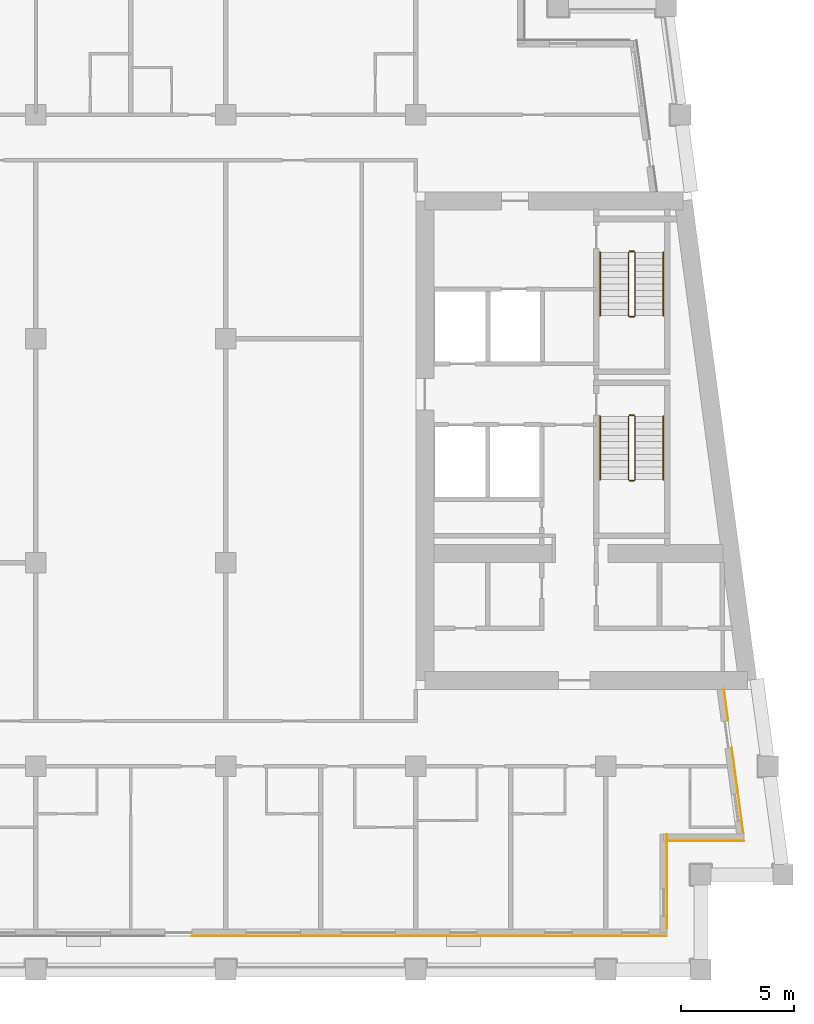
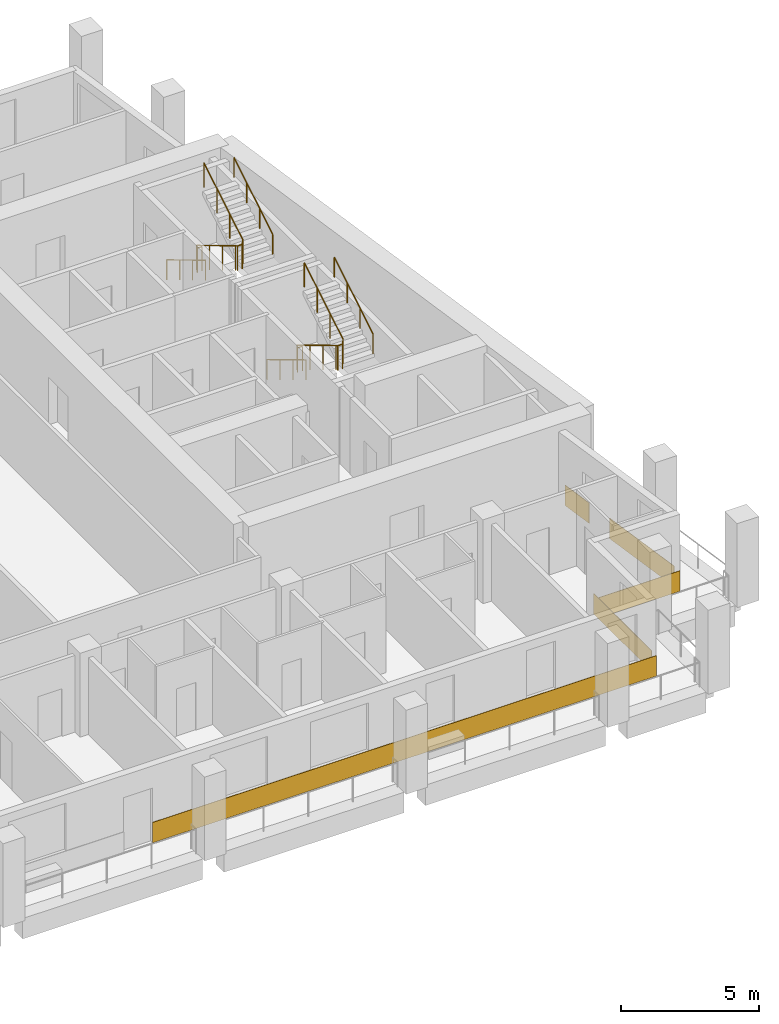
# One storey, part 10 of 12: 8 railings, 5 coverings.
"""IFC4 building model written with IfcOpenShell, lengths in metres."""

from ifc_helpers import new_model, si_unit, direction, frame, origin, origin_2d, place, context, subcontext, project, spatial, rectangle, circle, extrude, material, layer, layer_set, type_object, element, save


model = new_model("IFC4")

# Units and contexts
model_context = context("Model", 3, precision=1e-05, world=origin(), true_north=direction((0.0, 1.0)))
body_context = subcontext(model_context, "Body", "Model", "MODEL_VIEW")
ifc_project = project(units=[si_unit("LENGTHUNIT", "METRE"), si_unit("AREAUNIT", "SQUARE_METRE"), si_unit("VOLUMEUNIT", "CUBIC_METRE"), si_unit("PLANEANGLEUNIT", "RADIAN"), si_unit("MASSUNIT", "GRAM", prefix="KILO")], contexts=[model_context])

# Site, building, storey
site_placement = place(None, origin())
site = spatial("IfcSite", under=ifc_project, at=site_placement, CompositionType="ELEMENT")
building_placement = place(site_placement, origin())
building = spatial("IfcBuilding", under=site, at=building_placement, Name="Candeia Pilgrim Tower and Theatre", CompositionType="ELEMENT")
storey_placement = place(building_placement, frame((0.0, 0.0, 224.39990234375)))
storey = spatial("IfcBuildingStorey", under=building, at=storey_placement, Name="L54", CompositionType="ELEMENT", Elevation=224.39990234375)

# Coverings
ifc_material_1 = material(Name="Glazed ceramic tile bottle green")
ifc_layer_1 = layer(ifc_material_1, 0.02001953125)
ifc_layer_set_1 = layer_set([ifc_layer_1], Name="Glazed ceramic tile bottle green")
covering_type_1 = type_object("IfcCoveringType", Name="Glazed ceramic tile bottle green", PredefinedType="CLADDING", material=ifc_layer_set_1)
covering_1_placement = place(storey_placement, frame((126.60009765625, 99.489990234375, 0.000244140625), z_axis=(0.0, 0.0, 1.0), x_axis=(1.0, 0.0, 0.0)))
element("IfcCovering", 1, at=covering_1_placement, inside=storey, type_object=covering_type_1, Name="Tile cladding bottle green L54", PredefinedType="CLADDING", context=body_context, shape_type="SweptSolid", body=[
    extrude(rectangle(XDim=21.0, YDim=0.02001953125, at=origin_2d()), origin(), (0.0, 0.0, 1.0), 0.89990234375),
])
covering_2_placement = place(storey_placement, frame((138.819580078125, 103.68994140625, 0.000244140625), z_axis=(0.0, 0.0, 1.0), x_axis=(1.0, 0.0, 0.0)))
element("IfcCovering", 2, at=covering_2_placement, inside=storey, type_object=covering_type_1, Name="Tile cladding bottle green L54", PredefinedType="CLADDING", context=body_context, shape_type="SweptSolid", body=[
    extrude(rectangle(XDim=3.399169921875, YDim=0.02001953125, at=origin_2d()), origin(), (0.0, 0.0, 1.0), 0.89990234375),
])
ifc_material_2 = material(Name="Glazed ceramic tile rust")
ifc_layer_2 = layer(ifc_material_2, 0.02001953125)
ifc_layer_set_2 = layer_set([ifc_layer_2], Name="Glazed ceramic tile rust")
covering_type_2 = type_object("IfcCoveringType", Name="Glazed ceramic tile rust", PredefinedType="CLADDING", material=ifc_layer_set_2)
covering_3_placement = place(storey_placement, frame((137.110107421875, 101.909912109375, 0.000244140625), z_axis=(0.0, 0.0, 1.0), x_axis=(0.0, 1.0, 0.0)))
element("IfcCovering", 3, at=covering_3_placement, inside=storey, type_object=covering_type_2, Name="Tile cladding rust L54", PredefinedType="CLADDING", context=body_context, shape_type="SweptSolid", body=[
    extrude(rectangle(XDim=4.179931640625, YDim=0.02001953125, at=origin_2d()), origin(), (0.0, 0.0, 1.0), 0.89990234375),
])
covering_4_placement = place(storey_placement, frame((140.228515625, 105.933349609375, 0.000244140625), z_axis=(0.0, 0.0, 1.0), x_axis=(-0.133412012145, 0.991060661622, 0.0)))
element("IfcCovering", 4, at=covering_4_placement, inside=storey, type_object=covering_type_2, Name="Tile cladding rust L54", PredefinedType="CLADDING", context=body_context, shape_type="SweptSolid", body=[
    extrude(rectangle(XDim=3.821044921875, YDim=0.02001953125, at=origin_2d()), origin(), (0.0, 0.0, 1.0), 0.89990234375),
])
covering_5_placement = place(storey_placement, frame((139.718994140625, 109.71875, 0.000244140625), z_axis=(0.0, 0.0, 1.0), x_axis=(-0.133412012145, 0.991060661622, 0.0)))
element("IfcCovering", 5, at=covering_5_placement, inside=storey, type_object=covering_type_2, Name="Tile cladding rust L54", PredefinedType="CLADDING", context=body_context, shape_type="SweptSolid", body=[
    extrude(rectangle(XDim=1.41796875, YDim=0.02001953125, at=origin_2d()), origin(), (0.0, 0.0, 1.0), 0.89990234375),
])

# Railings
ifc_material_3 = material(Name="Stainless steel balustrade", Category="steel")
railing_type_1 = type_object("IfcRailingType", Name="RL-GUARD-1100", PredefinedType="GUARDRAIL", material=ifc_material_3)
railing_1_placement = place(storey_placement, frame((135.39794921875, 122.47509765625, 0.168212890625)))
element("IfcRailing", 6, at=railing_1_placement, inside=storey, type_object=railing_type_1, Name="L54 ST3 stair guard 1", PredefinedType="GUARDRAIL", context=body_context, shape_type="SweptSolid", body=[
    extrude(circle(Radius=0.02392578125, at=origin_2d()), frame((0.0, 0.0, 1.076171875), z_axis=(0.0, -0.857242210791, 0.514913383045), x_axis=(1.0, 0.0, 0.0)), (0.0, 0.0, 1.0), 3.266357421875),
    extrude(circle(Radius=0.02392578125, at=origin_2d()), frame((0.0, -2.800048828125, 2.7578125), z_axis=(0.707106781187, -0.707106781187, 0.0), x_axis=(0.707106781187, 0.707106781187, 0.0)), (0.0, 0.0, 1.0), 0.07080078125),
    extrude(circle(Radius=0.02392578125, at=origin_2d()), frame((0.050048828125, -2.85009765625, 2.7578125), z_axis=(1.0, 0.0, 0.0), x_axis=(0.0, 1.0, 0.0)), (0.0, 0.0, 1.0), 0.199951171875),
    extrude(circle(Radius=0.02392578125, at=origin_2d()), frame((0.25, -2.85009765625, 2.7578125), z_axis=(0.274243871929, 0.274243871929, 0.92172696468), x_axis=(-0.707106781187, 0.707106781187, 0.0)), (0.0, 0.0, 1.0), 0.1826171875),
    extrude(circle(Radius=0.02392578125, at=origin_2d()), frame((0.300048828125, -2.800048828125, 2.92626953125), z_axis=(0.0, 0.857242210791, 0.514913383045), x_axis=(-1.0, 0.0, 0.0)), (0.0, 0.0, 1.0), 3.266357421875),
    extrude(circle(Radius=0.02099609375, at=origin_2d()), origin(), (0.0, 0.0, 1.0), 1.052001953125),
    extrude(circle(Radius=0.02099609375, at=origin_2d()), frame((0.0, -0.933349609375, 0.560546875)), (0.0, 0.0, 1.0), 1.052001953125),
    extrude(circle(Radius=0.02099609375, at=origin_2d()), frame((0.0, -1.86669921875, 1.121337890625)), (0.0, 0.0, 1.0), 1.052001953125),
    extrude(circle(Radius=0.02099609375, at=origin_2d()), frame((0.0, -2.800048828125, 1.681884765625)), (0.0, 0.0, 1.0), 1.052001953125),
    extrude(circle(Radius=0.02099609375, at=origin_2d()), frame((0.050048828125, -2.85009765625, 1.681884765625)), (0.0, 0.0, 1.0), 1.052001953125),
    extrude(circle(Radius=0.02099609375, at=origin_2d()), frame((0.25, -2.85009765625, 1.681884765625)), (0.0, 0.0, 1.0), 1.052001953125),
    extrude(circle(Radius=0.02099609375, at=origin_2d()), frame((0.300048828125, -2.800048828125, 1.85009765625)), (0.0, 0.0, 1.0), 1.052001953125),
    extrude(circle(Radius=0.02099609375, at=origin_2d()), frame((0.300048828125, -1.86669921875, 2.41064453125)), (0.0, 0.0, 1.0), 1.052001953125),
    extrude(circle(Radius=0.02099609375, at=origin_2d()), frame((0.300048828125, -0.933349609375, 2.971435546875)), (0.0, 0.0, 1.0), 1.052001953125),
    extrude(circle(Radius=0.02099609375, at=origin_2d()), frame((0.300048828125, 0.0, 3.531982421875)), (0.0, 0.0, 1.0), 1.052001953125),
])
railing_2_placement = place(storey_placement, frame((135.447998046875, 122.52490234375, 0.0)))
element("IfcRailing", 7, at=railing_2_placement, inside=storey, type_object=railing_type_1, Name="L54 ST3 stair guard 2", PredefinedType="GUARDRAIL", context=body_context, shape_type="SweptSolid", body=[
    extrude(circle(Radius=0.02392578125, at=origin_2d()), frame((0.0, 0.0, 1.076171875), z_axis=(1.0, 0.0, 0.0), x_axis=(0.0, 1.0, 0.0)), (0.0, 0.0, 1.0), 0.199951171875),
    extrude(circle(Radius=0.02099609375, at=origin_2d()), origin(), (0.0, 0.0, 1.0), 1.052001953125),
    extrude(circle(Radius=0.02099609375, at=origin_2d()), frame((0.199951171875, 0.0, 0.0)), (0.0, 0.0, 1.0), 1.052001953125),
])
railing_3_placement = place(storey_placement, frame((135.39794921875, 129.72509765625, 0.168212890625)))
element("IfcRailing", 8, at=railing_3_placement, inside=storey, type_object=railing_type_1, Name="L54 ST4 stair guard 1", PredefinedType="GUARDRAIL", context=body_context, shape_type="SweptSolid", body=[
    extrude(circle(Radius=0.02392578125, at=origin_2d()), frame((0.0, 0.0, 1.076171875), z_axis=(0.0, -0.857242210791, 0.514913383045), x_axis=(1.0, 0.0, 0.0)), (0.0, 0.0, 1.0), 3.266357421875),
    extrude(circle(Radius=0.02392578125, at=origin_2d()), frame((0.0, -2.800048828125, 2.7578125), z_axis=(0.707106781187, -0.707106781187, 0.0), x_axis=(0.707106781187, 0.707106781187, 0.0)), (0.0, 0.0, 1.0), 0.07080078125),
    extrude(circle(Radius=0.02392578125, at=origin_2d()), frame((0.050048828125, -2.85009765625, 2.7578125), z_axis=(1.0, 0.0, 0.0), x_axis=(0.0, 1.0, 0.0)), (0.0, 0.0, 1.0), 0.199951171875),
    extrude(circle(Radius=0.02392578125, at=origin_2d()), frame((0.25, -2.85009765625, 2.7578125), z_axis=(0.274243871929, 0.274243871929, 0.92172696468), x_axis=(-0.707106781187, 0.707106781187, 0.0)), (0.0, 0.0, 1.0), 0.1826171875),
    extrude(circle(Radius=0.02392578125, at=origin_2d()), frame((0.300048828125, -2.800048828125, 2.92626953125), z_axis=(0.0, 0.857242210791, 0.514913383045), x_axis=(-1.0, 0.0, 0.0)), (0.0, 0.0, 1.0), 3.266357421875),
    extrude(circle(Radius=0.02099609375, at=origin_2d()), origin(), (0.0, 0.0, 1.0), 1.052001953125),
    extrude(circle(Radius=0.02099609375, at=origin_2d()), frame((0.0, -0.933349609375, 0.560546875)), (0.0, 0.0, 1.0), 1.052001953125),
    extrude(circle(Radius=0.02099609375, at=origin_2d()), frame((0.0, -1.86669921875, 1.121337890625)), (0.0, 0.0, 1.0), 1.052001953125),
    extrude(circle(Radius=0.02099609375, at=origin_2d()), frame((0.0, -2.800048828125, 1.681884765625)), (0.0, 0.0, 1.0), 1.052001953125),
    extrude(circle(Radius=0.02099609375, at=origin_2d()), frame((0.050048828125, -2.85009765625, 1.681884765625)), (0.0, 0.0, 1.0), 1.052001953125),
    extrude(circle(Radius=0.02099609375, at=origin_2d()), frame((0.25, -2.85009765625, 1.681884765625)), (0.0, 0.0, 1.0), 1.052001953125),
    extrude(circle(Radius=0.02099609375, at=origin_2d()), frame((0.300048828125, -2.800048828125, 1.85009765625)), (0.0, 0.0, 1.0), 1.052001953125),
    extrude(circle(Radius=0.02099609375, at=origin_2d()), frame((0.300048828125, -1.86669921875, 2.41064453125)), (0.0, 0.0, 1.0), 1.052001953125),
    extrude(circle(Radius=0.02099609375, at=origin_2d()), frame((0.300048828125, -0.933349609375, 2.971435546875)), (0.0, 0.0, 1.0), 1.052001953125),
    extrude(circle(Radius=0.02099609375, at=origin_2d()), frame((0.300048828125, 0.0, 3.531982421875)), (0.0, 0.0, 1.0), 1.052001953125),
])
railing_4_placement = place(storey_placement, frame((135.447998046875, 129.77490234375, 0.0)))
element("IfcRailing", 9, at=railing_4_placement, inside=storey, type_object=railing_type_1, Name="L54 ST4 stair guard 2", PredefinedType="GUARDRAIL", context=body_context, shape_type="SweptSolid", body=[
    extrude(circle(Radius=0.02392578125, at=origin_2d()), frame((0.0, 0.0, 1.076171875), z_axis=(1.0, 0.0, 0.0), x_axis=(0.0, 1.0, 0.0)), (0.0, 0.0, 1.0), 0.199951171875),
    extrude(circle(Radius=0.02099609375, at=origin_2d()), origin(), (0.0, 0.0, 1.0), 1.052001953125),
    extrude(circle(Radius=0.02099609375, at=origin_2d()), frame((0.199951171875, 0.0, 0.0)), (0.0, 0.0, 1.0), 1.052001953125),
])
ifc_material_4 = material(Name="Stainless steel handrail", Category="steel")
railing_type_2 = type_object("IfcRailingType", Name="RL-HANDRAIL-900", PredefinedType="HANDRAIL", material=ifc_material_4)
railing_5_placement = place(storey_placement, frame((134.14794921875, 122.47509765625, 0.168212890625)))
element("IfcRailing", 10, at=railing_5_placement, inside=storey, type_object=railing_type_2, Name="L54 ST3 stair handrail 1", PredefinedType="HANDRAIL", context=body_context, shape_type="SweptSolid", body=[
    extrude(circle(Radius=0.02392578125, at=origin_2d()), frame((0.0, 0.0, 0.8759765625), z_axis=(0.0, -0.857242210791, 0.514913383045), x_axis=(1.0, 0.0, 0.0)), (0.0, 0.0, 1.0), 3.266357421875),
    extrude(circle(Radius=0.02099609375, at=origin_2d()), origin(), (0.0, 0.0, 1.0), 0.851806640625),
    extrude(circle(Radius=0.02099609375, at=origin_2d()), frame((0.0, -0.933349609375, 0.560546875)), (0.0, 0.0, 1.0), 0.851806640625),
    extrude(circle(Radius=0.02099609375, at=origin_2d()), frame((0.0, -1.86669921875, 1.121337890625)), (0.0, 0.0, 1.0), 0.851806640625),
    extrude(circle(Radius=0.02099609375, at=origin_2d()), frame((0.0, -2.800048828125, 1.681884765625)), (0.0, 0.0, 1.0), 0.851806640625),
])
railing_6_placement = place(storey_placement, frame((136.947998046875, 119.675048828125, 2.018310546875)))
element("IfcRailing", 11, at=railing_6_placement, inside=storey, type_object=railing_type_2, Name="L54 ST3 stair handrail 2", PredefinedType="HANDRAIL", context=body_context, shape_type="SweptSolid", body=[
    extrude(circle(Radius=0.02392578125, at=origin_2d()), frame((0.0, 0.0, 0.8759765625), z_axis=(0.0, 0.857242210791, 0.514913383045), x_axis=(-1.0, 0.0, 0.0)), (0.0, 0.0, 1.0), 3.266357421875),
    extrude(circle(Radius=0.02099609375, at=origin_2d()), origin(), (0.0, 0.0, 1.0), 0.851806640625),
    extrude(circle(Radius=0.02099609375, at=origin_2d()), frame((0.0, 0.933349609375, 0.560546875)), (0.0, 0.0, 1.0), 0.851806640625),
    extrude(circle(Radius=0.02099609375, at=origin_2d()), frame((0.0, 1.86669921875, 1.121337890625)), (0.0, 0.0, 1.0), 0.851806640625),
    extrude(circle(Radius=0.02099609375, at=origin_2d()), frame((0.0, 2.800048828125, 1.681884765625)), (0.0, 0.0, 1.0), 0.851806640625),
])
railing_7_placement = place(storey_placement, frame((134.14794921875, 129.72509765625, 0.168212890625)))
element("IfcRailing", 12, at=railing_7_placement, inside=storey, type_object=railing_type_2, Name="L54 ST4 stair handrail 1", PredefinedType="HANDRAIL", context=body_context, shape_type="SweptSolid", body=[
    extrude(circle(Radius=0.02392578125, at=origin_2d()), frame((0.0, 0.0, 0.8759765625), z_axis=(0.0, -0.857242210791, 0.514913383045), x_axis=(1.0, 0.0, 0.0)), (0.0, 0.0, 1.0), 3.266357421875),
    extrude(circle(Radius=0.02099609375, at=origin_2d()), origin(), (0.0, 0.0, 1.0), 0.851806640625),
    extrude(circle(Radius=0.02099609375, at=origin_2d()), frame((0.0, -0.933349609375, 0.560546875)), (0.0, 0.0, 1.0), 0.851806640625),
    extrude(circle(Radius=0.02099609375, at=origin_2d()), frame((0.0, -1.86669921875, 1.121337890625)), (0.0, 0.0, 1.0), 0.851806640625),
    extrude(circle(Radius=0.02099609375, at=origin_2d()), frame((0.0, -2.800048828125, 1.681884765625)), (0.0, 0.0, 1.0), 0.851806640625),
])
railing_8_placement = place(storey_placement, frame((136.947998046875, 126.925048828125, 2.018310546875)))
element("IfcRailing", 13, at=railing_8_placement, inside=storey, type_object=railing_type_2, Name="L54 ST4 stair handrail 2", PredefinedType="HANDRAIL", context=body_context, shape_type="SweptSolid", body=[
    extrude(circle(Radius=0.02392578125, at=origin_2d()), frame((0.0, 0.0, 0.8759765625), z_axis=(0.0, 0.857242210791, 0.514913383045), x_axis=(-1.0, 0.0, 0.0)), (0.0, 0.0, 1.0), 3.266357421875),
    extrude(circle(Radius=0.02099609375, at=origin_2d()), origin(), (0.0, 0.0, 1.0), 0.851806640625),
    extrude(circle(Radius=0.02099609375, at=origin_2d()), frame((0.0, 0.933349609375, 0.560546875)), (0.0, 0.0, 1.0), 0.851806640625),
    extrude(circle(Radius=0.02099609375, at=origin_2d()), frame((0.0, 1.86669921875, 1.121337890625)), (0.0, 0.0, 1.0), 0.851806640625),
    extrude(circle(Radius=0.02099609375, at=origin_2d()), frame((0.0, 2.800048828125, 1.681884765625)), (0.0, 0.0, 1.0), 0.851806640625),
])

save(model, "model.ifc")
